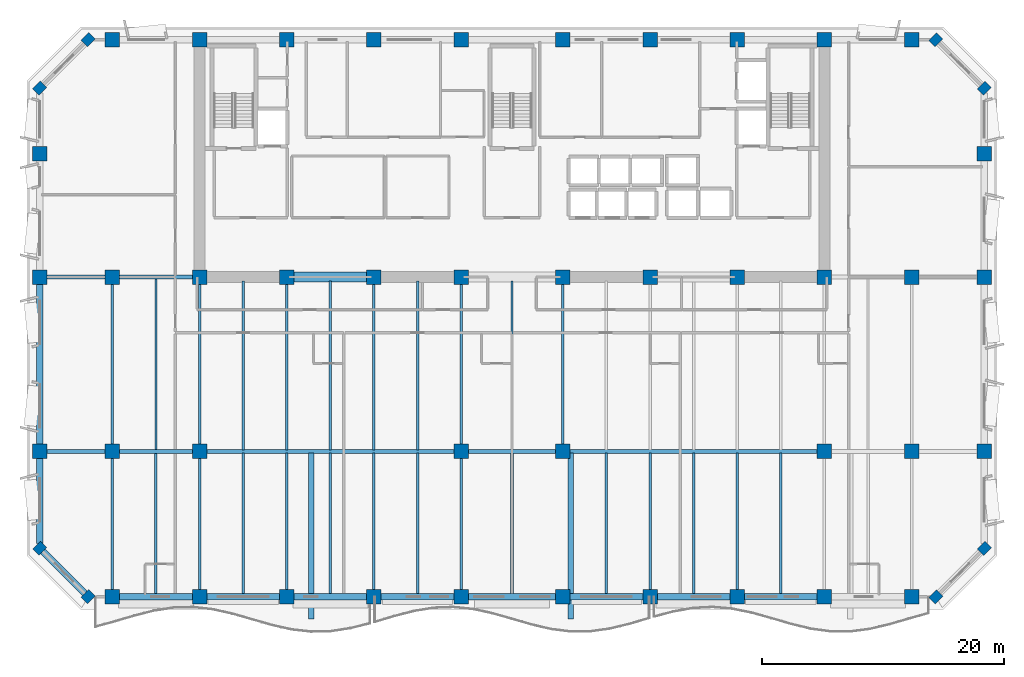
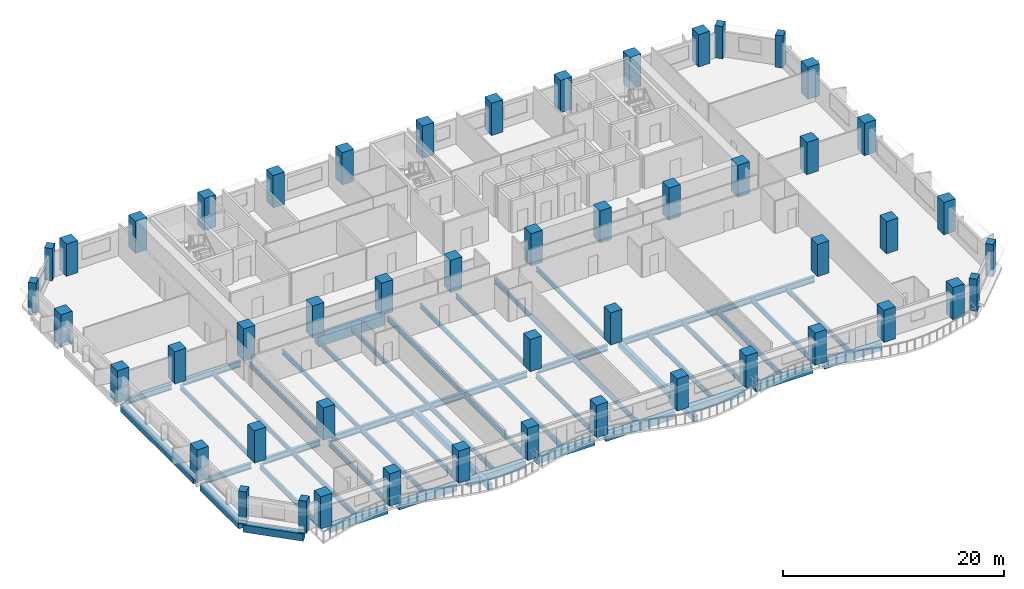
# One storey, part 1 of 14: 50 columns, 47 beams.
"""IFC4 building model written with IfcOpenShell, lengths in metres."""

from ifc_helpers import new_model, si_unit, direction, frame, origin, origin_2d, place, context, subcontext, project, spatial, rectangle, i_section, extrude, material, material_profile, profile_set, type_object, element, save


model = new_model("IFC4")

# Units and contexts
model_context = context("Model", 3, precision=1e-05, world=origin(), true_north=direction((0.0, 1.0)))
body_context = subcontext(model_context, "Body", "Model", "MODEL_VIEW")
ifc_project = project(units=[si_unit("LENGTHUNIT", "METRE"), si_unit("AREAUNIT", "SQUARE_METRE"), si_unit("VOLUMEUNIT", "CUBIC_METRE"), si_unit("PLANEANGLEUNIT", "RADIAN"), si_unit("MASSUNIT", "GRAM", prefix="KILO")], contexts=[model_context])

# Site, building, storey
site_placement = place(None, origin())
site = spatial("IfcSite", under=ifc_project, at=site_placement, CompositionType="ELEMENT")
building_placement = place(site_placement, origin())
building = spatial("IfcBuilding", under=site, at=building_placement, Name="Kaelvorn Grand Hotel", CompositionType="ELEMENT")
storey_placement = place(building_placement, frame((0.0, 0.0, 220.550048828125)))
storey = spatial("IfcBuildingStorey", under=building, at=storey_placement, Name="L54", CompositionType="ELEMENT", Elevation=220.550048828125)

# Columns
ifc_material_1 = material(Name="Concrete C60/75", Category="concrete")
ifc_material_profile_1 = material_profile(ifc_material_1, rectangle(XDim=0.89990234375, YDim=0.75, at=origin_2d()), Name="RC PILASTER 900x750")
ifc_profile_set_1 = profile_set([ifc_material_profile_1], Name="Concrete C60/75")
column_type_1 = type_object("IfcColumnType", Name="COL-PIL-900x750-C60", PredefinedType="PILASTER", material=ifc_profile_set_1)
for number, where, z_axis, x_axis, name in (
    (1, (7.0, 3.0, 0.0), (0.0, 0.0, 1.0), (0.707106781187, 0.707106781187, 0.0), "L54 Structural Column CH-01"),
    (2, (77.0, 3.0, 0.0), (0.0, 0.0, 1.0), (0.707106781187, 0.707106781187, 0.0), "L54 Structural Column CH-02"),
    (3, (81.0, 7.0, 0.0), (0.0, 0.0, 1.0), (0.707106781187, 0.707106781187, 0.0), "L54 Structural Column CH-03"),
    (4, (81.0, 45.0, 0.0), (0.0, 0.0, 1.0), (0.707106781187, 0.707106781187, 0.0), "L54 Structural Column CH-04"),
    (5, (77.0, 49.0, 0.0), (0.0, 0.0, 1.0), (0.707106781187, 0.707106781187, 0.0), "L54 Structural Column CH-05"),
    (6, (7.0, 49.0, 0.0), (0.0, 0.0, 1.0), (0.707106781187, 0.707106781187, 0.0), "L54 Structural Column CH-06"),
    (7, (3.0, 45.0, 0.0), (0.0, 0.0, 1.0), (0.707106781187, 0.707106781187, 0.0), "L54 Structural Column CH-07"),
    (8, (3.0, 7.0, 0.0), (0.0, 0.0, 1.0), (0.707106781187, 0.707106781187, 0.0), "L54 Structural Column CH-08"),
):
    element("IfcColumn", number, at=place(storey_placement, frame(where, z_axis=z_axis, x_axis=x_axis)), inside=storey, type_object=column_type_1, Name=name, PredefinedType="PILASTER", context=body_context, shape_type="SweptSolid", body=[
        extrude(rectangle(XDim=0.89990234375, YDim=0.75, at=origin_2d()), origin(), (0.0, 0.0, 1.0), 3.56005859375),
    ])
ifc_material_profile_2 = material_profile(ifc_material_1, rectangle(XDim=1.199951171875, YDim=1.199951171875, at=origin_2d()), Name="RC COL 1200x1200")
ifc_profile_set_2 = profile_set([ifc_material_profile_2], Name="Concrete C60/75")
column_type_2 = type_object("IfcColumnType", Name="COL-RC-1200-C60", PredefinedType="COLUMN", material=ifc_profile_set_2)
for number, where, z_axis, x_axis, name in (
    (9, (9.0, 3.0, 0.0), (0.0, 0.0, 1.0), (1.0, 0.0, 0.0), "L54 Structural Column S-01"),
    (10, (16.199951171875, 3.0, 0.0), (0.0, 0.0, 1.0), (1.0, 0.0, 0.0), "L54 Structural Column S-02"),
    (11, (23.39990234375, 3.0, 0.0), (0.0, 0.0, 1.0), (1.0, 0.0, 0.0), "L54 Structural Column S-03"),
    (12, (30.60009765625, 3.0, 0.0), (0.0, 0.0, 1.0), (1.0, 0.0, 0.0), "L54 Structural Column S-04"),
    (13, (37.800048828125, 3.0, 0.0), (0.0, 0.0, 1.0), (1.0, 0.0, 0.0), "L54 Structural Column S-05"),
    (14, (46.199951171875, 3.0, 0.0), (0.0, 0.0, 1.0), (1.0, 0.0, 0.0), "L54 Structural Column S-06"),
    (15, (53.39990234375, 3.0, 0.0), (0.0, 0.0, 1.0), (1.0, 0.0, 0.0), "L54 Structural Column S-07"),
    (16, (60.60009765625, 3.0, 0.0), (0.0, 0.0, 1.0), (1.0, 0.0, 0.0), "L54 Structural Column S-08"),
    (17, (67.800048828125, 3.0, 0.0), (0.0, 0.0, 1.0), (1.0, 0.0, 0.0), "L54 Structural Column S-09"),
    (18, (75.0, 3.0, 0.0), (0.0, 0.0, 1.0), (1.0, 0.0, 0.0), "L54 Structural Column S-10"),
    (19, (3.0, 15.0, 0.0), (0.0, 0.0, 1.0), (1.0, 0.0, 0.0), "L54 Structural Column W-01"),
    (20, (81.0, 15.0, 0.0), (0.0, 0.0, 1.0), (1.0, 0.0, 0.0), "L54 Structural Column E-01"),
    (21, (3.0, 29.39990234375, 0.0), (0.0, 0.0, 1.0), (1.0, 0.0, 0.0), "L54 Structural Column W-02"),
    (22, (81.0, 29.39990234375, 0.0), (0.0, 0.0, 1.0), (1.0, 0.0, 0.0), "L54 Structural Column E-02"),
    (23, (3.0, 39.60009765625, 0.0), (0.0, 0.0, 1.0), (1.0, 0.0, 0.0), "L54 Structural Column W-03"),
    (24, (81.0, 39.60009765625, 0.0), (0.0, 0.0, 1.0), (1.0, 0.0, 0.0), "L54 Structural Column E-03"),
    (25, (9.0, 15.0, 0.0), (0.0, 0.0, 1.0), (1.0, 0.0, 0.0), "L54 Structural Column M-01"),
    (26, (16.199951171875, 15.0, 0.0), (0.0, 0.0, 1.0), (1.0, 0.0, 0.0), "L54 Structural Column M-02"),
    (27, (37.800048828125, 15.0, 0.0), (0.0, 0.0, 1.0), (1.0, 0.0, 0.0), "L54 Structural Column M-03"),
    (28, (46.199951171875, 15.0, 0.0), (0.0, 0.0, 1.0), (1.0, 0.0, 0.0), "L54 Structural Column M-04"),
    (29, (67.800048828125, 15.0, 0.0), (0.0, 0.0, 1.0), (1.0, 0.0, 0.0), "L54 Structural Column M-05"),
    (30, (75.0, 15.0, 0.0), (0.0, 0.0, 1.0), (1.0, 0.0, 0.0), "L54 Structural Column M-06"),
    (31, (9.0, 29.39990234375, 0.0), (0.0, 0.0, 1.0), (1.0, 0.0, 0.0), "L54 Structural Column CR1-01"),
    (32, (9.0, 49.0, 0.0), (0.0, 0.0, 1.0), (1.0, 0.0, 0.0), "L54 Structural Column CR2-01"),
    (33, (16.199951171875, 29.39990234375, 0.0), (0.0, 0.0, 1.0), (1.0, 0.0, 0.0), "L54 Structural Column CR1-02"),
    (34, (16.199951171875, 49.0, 0.0), (0.0, 0.0, 1.0), (1.0, 0.0, 0.0), "L54 Structural Column CR2-02"),
    (35, (23.39990234375, 29.39990234375, 0.0), (0.0, 0.0, 1.0), (1.0, 0.0, 0.0), "L54 Structural Column CR1-03"),
    (36, (23.39990234375, 49.0, 0.0), (0.0, 0.0, 1.0), (1.0, 0.0, 0.0), "L54 Structural Column CR2-03"),
    (37, (30.60009765625, 29.39990234375, 0.0), (0.0, 0.0, 1.0), (1.0, 0.0, 0.0), "L54 Structural Column CR1-04"),
    (38, (30.60009765625, 49.0, 0.0), (0.0, 0.0, 1.0), (1.0, 0.0, 0.0), "L54 Structural Column CR2-04"),
    (39, (37.800048828125, 29.39990234375, 0.0), (0.0, 0.0, 1.0), (1.0, 0.0, 0.0), "L54 Structural Column CR1-05"),
    (40, (37.800048828125, 49.0, 0.0), (0.0, 0.0, 1.0), (1.0, 0.0, 0.0), "L54 Structural Column CR2-05"),
    (41, (46.199951171875, 29.39990234375, 0.0), (0.0, 0.0, 1.0), (1.0, 0.0, 0.0), "L54 Structural Column CR1-06"),
    (42, (46.199951171875, 49.0, 0.0), (0.0, 0.0, 1.0), (1.0, 0.0, 0.0), "L54 Structural Column CR2-06"),
    (43, (53.39990234375, 29.39990234375, 0.0), (0.0, 0.0, 1.0), (1.0, 0.0, 0.0), "L54 Structural Column CR1-07"),
    (44, (53.39990234375, 49.0, 0.0), (0.0, 0.0, 1.0), (1.0, 0.0, 0.0), "L54 Structural Column CR2-07"),
    (45, (60.60009765625, 29.39990234375, 0.0), (0.0, 0.0, 1.0), (1.0, 0.0, 0.0), "L54 Structural Column CR1-08"),
    (46, (60.60009765625, 49.0, 0.0), (0.0, 0.0, 1.0), (1.0, 0.0, 0.0), "L54 Structural Column CR2-08"),
    (47, (67.800048828125, 29.39990234375, 0.0), (0.0, 0.0, 1.0), (1.0, 0.0, 0.0), "L54 Structural Column CR1-09"),
    (48, (67.800048828125, 49.0, 0.0), (0.0, 0.0, 1.0), (1.0, 0.0, 0.0), "L54 Structural Column CR2-09"),
    (49, (75.0, 29.39990234375, 0.0), (0.0, 0.0, 1.0), (1.0, 0.0, 0.0), "L54 Structural Column CR1-10"),
    (50, (75.0, 49.0, 0.0), (0.0, 0.0, 1.0), (1.0, 0.0, 0.0), "L54 Structural Column CR2-10"),
):
    element("IfcColumn", number, at=place(storey_placement, frame(where, z_axis=z_axis, x_axis=x_axis)), inside=storey, type_object=column_type_2, Name=name, PredefinedType="COLUMN", context=body_context, shape_type="SweptSolid", body=[
        extrude(rectangle(XDim=1.199951171875, YDim=1.199951171875, at=origin_2d()), origin(), (0.0, 0.0, 1.0), 3.56005859375),
    ])

# Beams
ifc_material_2 = material(Name="Steel S355", Category="steel")
ifc_material_profile_3 = material_profile(ifc_material_2, i_section(OverallWidth=0.300048828125, OverallDepth=0.64990234375, WebThickness=0.01611328125, FlangeThickness=0.031005859375, FilletRadius=0.027099609375, at=origin_2d()), Name="HEB 650")
ifc_profile_set_3 = profile_set([ifc_material_profile_3], Name="Steel S355")
beam_type_1 = type_object("IfcBeamType", Name="BM-G-HEB650-S355", PredefinedType="BEAM", material=ifc_profile_set_3)
beam_1_placement = place(storey_placement, frame((3.5849609375, 15.0, -0.56494140625), z_axis=(1.0, 0.0, 0.0), x_axis=(0.0, 1.0, 0.0)))
element("IfcBeam", 51, at=beam_1_placement, inside=storey, type_object=beam_type_1, Name="L54 Primary Spine Steel Girder G-15 01", PredefinedType="BEAM", context=body_context, shape_type="SweptSolid", body=[
    extrude(i_section(OverallWidth=0.300048828125, OverallDepth=0.64990234375, WebThickness=0.01611328125, FlangeThickness=0.031005859375, FilletRadius=0.027099609375, at=origin_2d()), origin(), (0.0, 0.0, 1.0), 4.830078125),
])
beam_2_placement = place(storey_placement, frame((9.5849609375, 15.0, -0.56494140625), z_axis=(1.0, 0.0, 0.0), x_axis=(0.0, 1.0, 0.0)))
element("IfcBeam", 52, at=beam_2_placement, inside=storey, type_object=beam_type_1, Name="L54 Primary Spine Steel Girder G-15 02", PredefinedType="BEAM", context=body_context, shape_type="SweptSolid", body=[
    extrude(i_section(OverallWidth=0.300048828125, OverallDepth=0.64990234375, WebThickness=0.01611328125, FlangeThickness=0.031005859375, FilletRadius=0.027099609375, at=origin_2d()), origin(), (0.0, 0.0, 1.0), 6.030029296875),
])
beam_3_placement = place(storey_placement, frame((16.784912109375, 15.0, -0.56494140625), z_axis=(1.0, 0.0, 0.0), x_axis=(0.0, 1.0, 0.0)))
element("IfcBeam", 53, at=beam_3_placement, inside=storey, type_object=beam_type_1, Name="L54 Primary Spine Steel Girder G-15 03", PredefinedType="BEAM", context=body_context, shape_type="SweptSolid", body=[
    extrude(i_section(OverallWidth=0.300048828125, OverallDepth=0.64990234375, WebThickness=0.01611328125, FlangeThickness=0.031005859375, FilletRadius=0.027099609375, at=origin_2d()), origin(), (0.0, 0.0, 1.0), 20.43017578125),
])
beam_4_placement = place(storey_placement, frame((38.385009765625, 15.0, -0.56494140625), z_axis=(1.0, 0.0, 0.0), x_axis=(0.0, 1.0, 0.0)))
element("IfcBeam", 54, at=beam_4_placement, inside=storey, type_object=beam_type_1, Name="L54 Primary Spine Steel Girder G-15 04", PredefinedType="BEAM", context=body_context, shape_type="SweptSolid", body=[
    extrude(i_section(OverallWidth=0.300048828125, OverallDepth=0.64990234375, WebThickness=0.01611328125, FlangeThickness=0.031005859375, FilletRadius=0.027099609375, at=origin_2d()), origin(), (0.0, 0.0, 1.0), 7.22998046875),
])
beam_5_placement = place(storey_placement, frame((46.784912109375, 15.0, -0.56494140625), z_axis=(1.0, 0.0, 0.0), x_axis=(0.0, 1.0, 0.0)))
element("IfcBeam", 55, at=beam_5_placement, inside=storey, type_object=beam_type_1, Name="L54 Primary Spine Steel Girder G-15 05", PredefinedType="BEAM", context=body_context, shape_type="SweptSolid", body=[
    extrude(i_section(OverallWidth=0.300048828125, OverallDepth=0.64990234375, WebThickness=0.01611328125, FlangeThickness=0.031005859375, FilletRadius=0.027099609375, at=origin_2d()), origin(), (0.0, 0.0, 1.0), 20.43017578125),
])
beam_6_placement = place(storey_placement, frame((3.5849609375, 29.39990234375, -0.56494140625), z_axis=(1.0, 0.0, 0.0), x_axis=(0.0, 1.0, 0.0)))
element("IfcBeam", 56, at=beam_6_placement, inside=storey, type_object=beam_type_1, Name="L54 West Core Wing Steel Girder G-29W 01", PredefinedType="BEAM", context=body_context, shape_type="SweptSolid", body=[
    extrude(i_section(OverallWidth=0.300048828125, OverallDepth=0.64990234375, WebThickness=0.01611328125, FlangeThickness=0.031005859375, FilletRadius=0.027099609375, at=origin_2d()), origin(), (0.0, 0.0, 1.0), 4.830078125),
])
beam_7_placement = place(storey_placement, frame((9.5849609375, 29.39990234375, -0.56494140625), z_axis=(1.0, 0.0, 0.0), x_axis=(0.0, 1.0, 0.0)))
element("IfcBeam", 57, at=beam_7_placement, inside=storey, type_object=beam_type_1, Name="L54 West Core Wing Steel Girder G-29W 02", PredefinedType="BEAM", context=body_context, shape_type="SweptSolid", body=[
    extrude(i_section(OverallWidth=0.300048828125, OverallDepth=0.64990234375, WebThickness=0.01611328125, FlangeThickness=0.031005859375, FilletRadius=0.027099609375, at=origin_2d()), origin(), (0.0, 0.0, 1.0), 6.030029296875),
])
ifc_material_profile_4 = material_profile(ifc_material_2, i_section(OverallWidth=0.199951171875, OverallDepth=0.5, WebThickness=0.01025390625, FlangeThickness=0.01611328125, FilletRadius=0.02099609375, at=origin_2d()), Name="IPE 500")
ifc_profile_set_4 = profile_set([ifc_material_profile_4], Name="Steel S355")
beam_type_2 = type_object("IfcBeamType", Name="BM-J-IPE500-S355", PredefinedType="JOIST", material=ifc_profile_set_4)
beam_8_placement = place(storey_placement, frame((9.0, 15.5849609375, -0.489990234375), z_axis=(0.0, 1.0, 0.0), x_axis=(-1.0, 0.0, 0.0)))
element("IfcBeam", 58, at=beam_8_placement, inside=storey, type_object=beam_type_2, Name="L54 Composite Floor Joist JM-03", PredefinedType="JOIST", context=body_context, shape_type="SweptSolid", body=[
    extrude(i_section(OverallWidth=0.199951171875, OverallDepth=0.5, WebThickness=0.01025390625, FlangeThickness=0.01611328125, FilletRadius=0.02099609375, at=origin_2d()), origin(), (0.0, 0.0, 1.0), 13.22998046875),
])
beam_9_placement = place(storey_placement, frame((12.60009765625, 15.135009765625, -0.489990234375), z_axis=(0.0, 1.0, 0.0), x_axis=(-1.0, 0.0, 0.0)))
element("IfcBeam", 59, at=beam_9_placement, inside=storey, type_object=beam_type_2, Name="L54 Composite Floor Joist JM-04", PredefinedType="JOIST", context=body_context, shape_type="SweptSolid", body=[
    extrude(i_section(OverallWidth=0.199951171875, OverallDepth=0.5, WebThickness=0.01025390625, FlangeThickness=0.01611328125, FilletRadius=0.02099609375, at=origin_2d()), origin(), (0.0, 0.0, 1.0), 14.1298828125),
])
beam_10_placement = place(storey_placement, frame((16.199951171875, 15.5849609375, -0.489990234375), z_axis=(0.0, 1.0, 0.0), x_axis=(-1.0, 0.0, 0.0)))
element("IfcBeam", 60, at=beam_10_placement, inside=storey, type_object=beam_type_2, Name="L54 Composite Floor Joist JM-05", PredefinedType="JOIST", context=body_context, shape_type="SweptSolid", body=[
    extrude(i_section(OverallWidth=0.199951171875, OverallDepth=0.5, WebThickness=0.01025390625, FlangeThickness=0.01611328125, FilletRadius=0.02099609375, at=origin_2d()), origin(), (0.0, 0.0, 1.0), 13.22998046875),
])
beam_11_placement = place(storey_placement, frame((19.800048828125, 15.135009765625, -0.489990234375), z_axis=(0.0, 1.0, 0.0), x_axis=(-1.0, 0.0, 0.0)))
element("IfcBeam", 61, at=beam_11_placement, inside=storey, type_object=beam_type_2, Name="L54 Composite Floor Joist JM-06", PredefinedType="JOIST", context=body_context, shape_type="SweptSolid", body=[
    extrude(i_section(OverallWidth=0.199951171875, OverallDepth=0.5, WebThickness=0.01025390625, FlangeThickness=0.01611328125, FilletRadius=0.02099609375, at=origin_2d()), origin(), (0.0, 0.0, 1.0), 13.925048828125),
])
beam_12_placement = place(storey_placement, frame((23.39990234375, 15.135009765625, -0.489990234375), z_axis=(0.0, 1.0, 0.0), x_axis=(-1.0, 0.0, 0.0)))
element("IfcBeam", 62, at=beam_12_placement, inside=storey, type_object=beam_type_2, Name="L54 Composite Floor Joist JM-07", PredefinedType="JOIST", context=body_context, shape_type="SweptSolid", body=[
    extrude(i_section(OverallWidth=0.199951171875, OverallDepth=0.5, WebThickness=0.01025390625, FlangeThickness=0.01611328125, FilletRadius=0.02099609375, at=origin_2d()), origin(), (0.0, 0.0, 1.0), 13.679931640625),
])
beam_13_placement = place(storey_placement, frame((27.0, 15.135009765625, -0.489990234375), z_axis=(0.0, 1.0, 0.0), x_axis=(-1.0, 0.0, 0.0)))
element("IfcBeam", 63, at=beam_13_placement, inside=storey, type_object=beam_type_2, Name="L54 Composite Floor Joist JM-08", PredefinedType="JOIST", context=body_context, shape_type="SweptSolid", body=[
    extrude(i_section(OverallWidth=0.199951171875, OverallDepth=0.5, WebThickness=0.01025390625, FlangeThickness=0.01611328125, FilletRadius=0.02099609375, at=origin_2d()), origin(), (0.0, 0.0, 1.0), 13.925048828125),
])
beam_14_placement = place(storey_placement, frame((30.60009765625, 15.135009765625, -0.489990234375), z_axis=(0.0, 1.0, 0.0), x_axis=(-1.0, 0.0, 0.0)))
element("IfcBeam", 64, at=beam_14_placement, inside=storey, type_object=beam_type_2, Name="L54 Composite Floor Joist JM-09", PredefinedType="JOIST", context=body_context, shape_type="SweptSolid", body=[
    extrude(i_section(OverallWidth=0.199951171875, OverallDepth=0.5, WebThickness=0.01025390625, FlangeThickness=0.01611328125, FilletRadius=0.02099609375, at=origin_2d()), origin(), (0.0, 0.0, 1.0), 13.679931640625),
])
beam_15_placement = place(storey_placement, frame((34.199951171875, 15.135009765625, -0.489990234375), z_axis=(0.0, 1.0, 0.0), x_axis=(-1.0, 0.0, 0.0)))
element("IfcBeam", 65, at=beam_15_placement, inside=storey, type_object=beam_type_2, Name="L54 Composite Floor Joist JM-10", PredefinedType="JOIST", context=body_context, shape_type="SweptSolid", body=[
    extrude(i_section(OverallWidth=0.199951171875, OverallDepth=0.5, WebThickness=0.01025390625, FlangeThickness=0.01611328125, FilletRadius=0.02099609375, at=origin_2d()), origin(), (0.0, 0.0, 1.0), 13.925048828125),
])
beam_16_placement = place(storey_placement, frame((37.800048828125, 15.5849609375, -0.489990234375), z_axis=(0.0, 1.0, 0.0), x_axis=(-1.0, 0.0, 0.0)))
element("IfcBeam", 66, at=beam_16_placement, inside=storey, type_object=beam_type_2, Name="L54 Composite Floor Joist JM-11", PredefinedType="JOIST", context=body_context, shape_type="SweptSolid", body=[
    extrude(i_section(OverallWidth=0.199951171875, OverallDepth=0.5, WebThickness=0.01025390625, FlangeThickness=0.01611328125, FilletRadius=0.02099609375, at=origin_2d()), origin(), (0.0, 0.0, 1.0), 13.22998046875),
])
beam_17_placement = place(storey_placement, frame((42.0, 15.135009765625, -0.489990234375), z_axis=(0.0, 1.0, 0.0), x_axis=(-1.0, 0.0, 0.0)))
element("IfcBeam", 67, at=beam_17_placement, inside=storey, type_object=beam_type_2, Name="L54 Composite Floor Joist JM-12", PredefinedType="JOIST", context=body_context, shape_type="SweptSolid", body=[
    extrude(i_section(OverallWidth=0.199951171875, OverallDepth=0.5, WebThickness=0.01025390625, FlangeThickness=0.01611328125, FilletRadius=0.02099609375, at=origin_2d()), origin(), (0.0, 0.0, 1.0), 13.925048828125),
])
beam_18_placement = place(storey_placement, frame((46.199951171875, 15.5849609375, -0.489990234375), z_axis=(0.0, 1.0, 0.0), x_axis=(-1.0, 0.0, 0.0)))
element("IfcBeam", 68, at=beam_18_placement, inside=storey, type_object=beam_type_2, Name="L54 Composite Floor Joist JM-13", PredefinedType="JOIST", context=body_context, shape_type="SweptSolid", body=[
    extrude(i_section(OverallWidth=0.199951171875, OverallDepth=0.5, WebThickness=0.01025390625, FlangeThickness=0.01611328125, FilletRadius=0.02099609375, at=origin_2d()), origin(), (0.0, 0.0, 1.0), 13.22998046875),
])
ifc_material_profile_5 = material_profile(ifc_material_2, i_section(OverallWidth=0.2099609375, OverallDepth=0.550048828125, WebThickness=0.010986328125, FlangeThickness=0.01708984375, FilletRadius=0.02392578125, at=origin_2d()), Name="IPE 550")
ifc_profile_set_5 = profile_set([ifc_material_profile_5], Name="Steel S355")
beam_type_3 = type_object("IfcBeamType", Name="BM-J-IPE550-S355", PredefinedType="JOIST", material=ifc_profile_set_5)
beam_19_placement = place(storey_placement, frame((9.0, 3.5849609375, -0.51513671875), z_axis=(0.0, 1.0, 0.0), x_axis=(-1.0, 0.0, 0.0)))
element("IfcBeam", 69, at=beam_19_placement, inside=storey, type_object=beam_type_3, Name="L54 Composite Floor Joist JS-03", PredefinedType="JOIST", context=body_context, shape_type="SweptSolid", body=[
    extrude(i_section(OverallWidth=0.2099609375, OverallDepth=0.550048828125, WebThickness=0.010986328125, FlangeThickness=0.01708984375, FilletRadius=0.02392578125, at=origin_2d()), origin(), (0.0, 0.0, 1.0), 10.830078125),
])
beam_20_placement = place(storey_placement, frame((12.60009765625, 3.260009765625, -0.51513671875), z_axis=(0.0, 1.0, 0.0), x_axis=(-1.0, 0.0, 0.0)))
element("IfcBeam", 70, at=beam_20_placement, inside=storey, type_object=beam_type_3, Name="L54 Composite Floor Joist JS-04", PredefinedType="JOIST", context=body_context, shape_type="SweptSolid", body=[
    extrude(i_section(OverallWidth=0.2099609375, OverallDepth=0.550048828125, WebThickness=0.010986328125, FlangeThickness=0.01708984375, FilletRadius=0.02392578125, at=origin_2d()), origin(), (0.0, 0.0, 1.0), 11.60498046875),
])
beam_21_placement = place(storey_placement, frame((16.199951171875, 3.5849609375, -0.51513671875), z_axis=(0.0, 1.0, 0.0), x_axis=(-1.0, 0.0, 0.0)))
element("IfcBeam", 71, at=beam_21_placement, inside=storey, type_object=beam_type_3, Name="L54 Composite Floor Joist JS-05", PredefinedType="JOIST", context=body_context, shape_type="SweptSolid", body=[
    extrude(i_section(OverallWidth=0.2099609375, OverallDepth=0.550048828125, WebThickness=0.010986328125, FlangeThickness=0.01708984375, FilletRadius=0.02392578125, at=origin_2d()), origin(), (0.0, 0.0, 1.0), 10.830078125),
])
beam_22_placement = place(storey_placement, frame((19.800048828125, 3.260009765625, -0.51513671875), z_axis=(0.0, 1.0, 0.0), x_axis=(-1.0, 0.0, 0.0)))
element("IfcBeam", 72, at=beam_22_placement, inside=storey, type_object=beam_type_3, Name="L54 Composite Floor Joist JS-06", PredefinedType="JOIST", context=body_context, shape_type="SweptSolid", body=[
    extrude(i_section(OverallWidth=0.2099609375, OverallDepth=0.550048828125, WebThickness=0.010986328125, FlangeThickness=0.01708984375, FilletRadius=0.02392578125, at=origin_2d()), origin(), (0.0, 0.0, 1.0), 11.60498046875),
])
beam_23_placement = place(storey_placement, frame((23.39990234375, 3.5849609375, -0.51513671875), z_axis=(0.0, 1.0, 0.0), x_axis=(-1.0, 0.0, 0.0)))
element("IfcBeam", 73, at=beam_23_placement, inside=storey, type_object=beam_type_3, Name="L54 Composite Floor Joist JS-07", PredefinedType="JOIST", context=body_context, shape_type="SweptSolid", body=[
    extrude(i_section(OverallWidth=0.2099609375, OverallDepth=0.550048828125, WebThickness=0.010986328125, FlangeThickness=0.01708984375, FilletRadius=0.02392578125, at=origin_2d()), origin(), (0.0, 0.0, 1.0), 11.280029296875),
])
beam_24_placement = place(storey_placement, frame((27.0, 3.260009765625, -0.51513671875), z_axis=(0.0, 1.0, 0.0), x_axis=(-1.0, 0.0, 0.0)))
element("IfcBeam", 74, at=beam_24_placement, inside=storey, type_object=beam_type_3, Name="L54 Composite Floor Joist JS-08", PredefinedType="JOIST", context=body_context, shape_type="SweptSolid", body=[
    extrude(i_section(OverallWidth=0.2099609375, OverallDepth=0.550048828125, WebThickness=0.010986328125, FlangeThickness=0.01708984375, FilletRadius=0.02392578125, at=origin_2d()), origin(), (0.0, 0.0, 1.0), 11.60498046875),
])
beam_25_placement = place(storey_placement, frame((30.60009765625, 3.5849609375, -0.51513671875), z_axis=(0.0, 1.0, 0.0), x_axis=(-1.0, 0.0, 0.0)))
element("IfcBeam", 75, at=beam_25_placement, inside=storey, type_object=beam_type_3, Name="L54 Composite Floor Joist JS-09", PredefinedType="JOIST", context=body_context, shape_type="SweptSolid", body=[
    extrude(i_section(OverallWidth=0.2099609375, OverallDepth=0.550048828125, WebThickness=0.010986328125, FlangeThickness=0.01708984375, FilletRadius=0.02392578125, at=origin_2d()), origin(), (0.0, 0.0, 1.0), 11.280029296875),
])
beam_26_placement = place(storey_placement, frame((34.199951171875, 3.260009765625, -0.51513671875), z_axis=(0.0, 1.0, 0.0), x_axis=(-1.0, 0.0, 0.0)))
element("IfcBeam", 76, at=beam_26_placement, inside=storey, type_object=beam_type_3, Name="L54 Composite Floor Joist JS-10", PredefinedType="JOIST", context=body_context, shape_type="SweptSolid", body=[
    extrude(i_section(OverallWidth=0.2099609375, OverallDepth=0.550048828125, WebThickness=0.010986328125, FlangeThickness=0.01708984375, FilletRadius=0.02392578125, at=origin_2d()), origin(), (0.0, 0.0, 1.0), 11.60498046875),
])
beam_27_placement = place(storey_placement, frame((37.800048828125, 3.5849609375, -0.51513671875), z_axis=(0.0, 1.0, 0.0), x_axis=(-1.0, 0.0, 0.0)))
element("IfcBeam", 77, at=beam_27_placement, inside=storey, type_object=beam_type_3, Name="L54 Composite Floor Joist JS-11", PredefinedType="JOIST", context=body_context, shape_type="SweptSolid", body=[
    extrude(i_section(OverallWidth=0.2099609375, OverallDepth=0.550048828125, WebThickness=0.010986328125, FlangeThickness=0.01708984375, FilletRadius=0.02392578125, at=origin_2d()), origin(), (0.0, 0.0, 1.0), 10.830078125),
])
for number, where, z_axis, x_axis, name in (
    (78, (42.0, 3.260009765625, -0.51513671875), (0.0, 1.0, 0.0), (-1.0, 0.0, 0.0), "L54 Composite Floor Joist JS-12"),
    (79, (49.800048828125, 3.260009765625, -0.51513671875), (0.0, 1.0, 0.0), (-1.0, 0.0, 0.0), "L54 Composite Floor Joist JS-14"),
):
    element("IfcBeam", number, at=place(storey_placement, frame(where, z_axis=z_axis, x_axis=x_axis)), inside=storey, type_object=beam_type_3, Name=name, PredefinedType="JOIST", context=body_context, shape_type="SweptSolid", body=[
        extrude(i_section(OverallWidth=0.2099609375, OverallDepth=0.550048828125, WebThickness=0.010986328125, FlangeThickness=0.01708984375, FilletRadius=0.02392578125, at=origin_2d()), origin(), (0.0, 0.0, 1.0), 11.60498046875),
    ])
beam_28_placement = place(storey_placement, frame((53.39990234375, 3.5849609375, -0.51513671875), z_axis=(0.0, 1.0, 0.0), x_axis=(-1.0, 0.0, 0.0)))
element("IfcBeam", 80, at=beam_28_placement, inside=storey, type_object=beam_type_3, Name="L54 Composite Floor Joist JS-15", PredefinedType="JOIST", context=body_context, shape_type="SweptSolid", body=[
    extrude(i_section(OverallWidth=0.2099609375, OverallDepth=0.550048828125, WebThickness=0.010986328125, FlangeThickness=0.01708984375, FilletRadius=0.02392578125, at=origin_2d()), origin(), (0.0, 0.0, 1.0), 11.280029296875),
])
beam_29_placement = place(storey_placement, frame((57.0, 3.260009765625, -0.51513671875), z_axis=(0.0, 1.0, 0.0), x_axis=(-1.0, 0.0, 0.0)))
element("IfcBeam", 81, at=beam_29_placement, inside=storey, type_object=beam_type_3, Name="L54 Composite Floor Joist JS-16", PredefinedType="JOIST", context=body_context, shape_type="SweptSolid", body=[
    extrude(i_section(OverallWidth=0.2099609375, OverallDepth=0.550048828125, WebThickness=0.010986328125, FlangeThickness=0.01708984375, FilletRadius=0.02392578125, at=origin_2d()), origin(), (0.0, 0.0, 1.0), 11.60498046875),
])
beam_30_placement = place(storey_placement, frame((60.60009765625, 3.5849609375, -0.51513671875), z_axis=(0.0, 1.0, 0.0), x_axis=(-1.0, 0.0, 0.0)))
element("IfcBeam", 82, at=beam_30_placement, inside=storey, type_object=beam_type_3, Name="L54 Composite Floor Joist JS-17", PredefinedType="JOIST", context=body_context, shape_type="SweptSolid", body=[
    extrude(i_section(OverallWidth=0.2099609375, OverallDepth=0.550048828125, WebThickness=0.010986328125, FlangeThickness=0.01708984375, FilletRadius=0.02392578125, at=origin_2d()), origin(), (0.0, 0.0, 1.0), 11.280029296875),
])
beam_31_placement = place(storey_placement, frame((64.199951171875, 3.260009765625, -0.51513671875), z_axis=(0.0, 1.0, 0.0), x_axis=(-1.0, 0.0, 0.0)))
element("IfcBeam", 83, at=beam_31_placement, inside=storey, type_object=beam_type_3, Name="L54 Composite Floor Joist JS-18", PredefinedType="JOIST", context=body_context, shape_type="SweptSolid", body=[
    extrude(i_section(OverallWidth=0.2099609375, OverallDepth=0.550048828125, WebThickness=0.010986328125, FlangeThickness=0.01708984375, FilletRadius=0.02392578125, at=origin_2d()), origin(), (0.0, 0.0, 1.0), 11.60498046875),
])
ifc_material_profile_6 = material_profile(ifc_material_1, rectangle(XDim=0.800048828125, YDim=1.10009765625, at=origin_2d()), Name="RC LINTEL 800x1100")
ifc_profile_set_6 = profile_set([ifc_material_profile_6], Name="Concrete C60/75")
beam_type_4 = type_object("IfcBeamType", Name="BM-LIN-800x1100-C60", PredefinedType="LINTEL", material=ifc_profile_set_6)
beam_32_placement = place(storey_placement, frame((23.580078125, 29.39990234375, -0.7900390625), z_axis=(1.0, 0.0, 0.0), x_axis=(0.0, 1.0, 0.0)))
element("IfcBeam", 84, at=beam_32_placement, inside=storey, type_object=beam_type_4, Name="L54 Rear-Core Coupling Lintel Beam CB1-01", PredefinedType="LINTEL", context=body_context, shape_type="SweptSolid", body=[
    extrude(rectangle(XDim=0.800048828125, YDim=1.10009765625, at=origin_2d()), origin(), (0.0, 0.0, 1.0), 6.83984375),
])
ifc_material_3 = material(Name="Concrete C40/50", Category="concrete")
ifc_material_profile_7 = material_profile(ifc_material_3, rectangle(XDim=0.449951171875, YDim=0.64990234375, at=origin_2d()), Name="RC RIB 450x650")
ifc_profile_set_7 = profile_set([ifc_material_profile_7], Name="Concrete C40/50")
beam_type_5 = type_object("IfcBeamType", Name="BM-RIB-450x650-C40", PredefinedType="SPANDREL", material=ifc_profile_set_7)
for number, where, z_axis, x_axis, name in (
    (85, (25.409423828125, 1.14990234375, -0.545166015625), (0.0, 1.0, 0.0), (-1.0, 0.0, 0.0), "L54 Cantilevered Balcony Back-Span Rib RB1-1"),
    (86, (46.857177734375, 1.14990234375, -0.545166015625), (0.0, 1.0, 0.0), (-1.0, 0.0, 0.0), "L54 Cantilevered Balcony Back-Span Rib RB1-2"),
):
    element("IfcBeam", number, at=place(storey_placement, frame(where, z_axis=z_axis, x_axis=x_axis)), inside=storey, type_object=beam_type_5, Name=name, PredefinedType="SPANDREL", context=body_context, shape_type="SweptSolid", body=[
        extrude(rectangle(XDim=0.449951171875, YDim=0.64990234375, at=origin_2d()), origin(), (0.0, 0.0, 1.0), 13.715087890625),
    ])
ifc_material_4 = material(Name="Concrete C50/60", Category="concrete")
ifc_material_profile_8 = material_profile(ifc_material_4, rectangle(XDim=0.550048828125, YDim=0.800048828125, at=origin_2d()), Name="RC SPANDREL 550x800")
ifc_profile_set_8 = profile_set([ifc_material_profile_8], Name="Concrete C50/60")
beam_type_6 = type_object("IfcBeamType", Name="BM-SP-550x800-C50", PredefinedType="SPANDREL", material=ifc_profile_set_8)
for number, where, z_axis, x_axis, name in (
    (87, (9.5849609375, 3.0, -0.64013671875), (1.0, 0.0, 0.0), (0.0, 1.0, 0.0), "L54 South Perimeter Spandrel 02"),
    (88, (16.784912109375, 3.0, -0.64013671875), (1.0, 0.0, 0.0), (0.0, 1.0, 0.0), "L54 South Perimeter Spandrel 03"),
):
    element("IfcBeam", number, at=place(storey_placement, frame(where, z_axis=z_axis, x_axis=x_axis)), inside=storey, type_object=beam_type_6, Name=name, PredefinedType="SPANDREL", context=body_context, shape_type="SweptSolid", body=[
        extrude(rectangle(XDim=0.550048828125, YDim=0.800048828125, at=origin_2d()), origin(), (0.0, 0.0, 1.0), 6.030029296875),
    ])
beam_33_placement = place(storey_placement, frame((23.985107421875, 3.0, -0.64013671875), z_axis=(1.0, 0.0, 0.0), x_axis=(0.0, 1.0, 0.0)))
element("IfcBeam", 89, at=beam_33_placement, inside=storey, type_object=beam_type_6, Name="L54 South Perimeter Spandrel 04", PredefinedType="SPANDREL", context=body_context, shape_type="SweptSolid", body=[
    extrude(rectangle(XDim=0.550048828125, YDim=0.800048828125, at=origin_2d()), origin(), (0.0, 0.0, 1.0), 6.02978515625),
])
beam_34_placement = place(storey_placement, frame((31.18505859375, 3.0, -0.64013671875), z_axis=(1.0, 0.0, 0.0), x_axis=(0.0, 1.0, 0.0)))
element("IfcBeam", 90, at=beam_34_placement, inside=storey, type_object=beam_type_6, Name="L54 South Perimeter Spandrel 05", PredefinedType="SPANDREL", context=body_context, shape_type="SweptSolid", body=[
    extrude(rectangle(XDim=0.550048828125, YDim=0.800048828125, at=origin_2d()), origin(), (0.0, 0.0, 1.0), 6.030029296875),
])
beam_35_placement = place(storey_placement, frame((38.385009765625, 3.0, -0.64013671875), z_axis=(1.0, 0.0, 0.0), x_axis=(0.0, 1.0, 0.0)))
element("IfcBeam", 91, at=beam_35_placement, inside=storey, type_object=beam_type_6, Name="L54 South Perimeter Spandrel 06", PredefinedType="SPANDREL", context=body_context, shape_type="SweptSolid", body=[
    extrude(rectangle(XDim=0.550048828125, YDim=0.800048828125, at=origin_2d()), origin(), (0.0, 0.0, 1.0), 7.22998046875),
])
beam_36_placement = place(storey_placement, frame((46.784912109375, 3.0, -0.64013671875), z_axis=(1.0, 0.0, 0.0), x_axis=(0.0, 1.0, 0.0)))
element("IfcBeam", 92, at=beam_36_placement, inside=storey, type_object=beam_type_6, Name="L54 South Perimeter Spandrel 07", PredefinedType="SPANDREL", context=body_context, shape_type="SweptSolid", body=[
    extrude(rectangle(XDim=0.550048828125, YDim=0.800048828125, at=origin_2d()), origin(), (0.0, 0.0, 1.0), 6.030029296875),
])
beam_37_placement = place(storey_placement, frame((53.985107421875, 3.0, -0.64013671875), z_axis=(1.0, 0.0, 0.0), x_axis=(0.0, 1.0, 0.0)))
element("IfcBeam", 93, at=beam_37_placement, inside=storey, type_object=beam_type_6, Name="L54 South Perimeter Spandrel 08", PredefinedType="SPANDREL", context=body_context, shape_type="SweptSolid", body=[
    extrude(rectangle(XDim=0.550048828125, YDim=0.800048828125, at=origin_2d()), origin(), (0.0, 0.0, 1.0), 6.02978515625),
])
beam_38_placement = place(storey_placement, frame((61.18505859375, 3.0, -0.64013671875), z_axis=(1.0, 0.0, 0.0), x_axis=(0.0, 1.0, 0.0)))
element("IfcBeam", 94, at=beam_38_placement, inside=storey, type_object=beam_type_6, Name="L54 South Perimeter Spandrel 09", PredefinedType="SPANDREL", context=body_context, shape_type="SweptSolid", body=[
    extrude(rectangle(XDim=0.550048828125, YDim=0.800048828125, at=origin_2d()), origin(), (0.0, 0.0, 1.0), 6.030029296875),
])
beam_39_placement = place(storey_placement, frame((3.0, 7.405029296875, -0.64013671875), z_axis=(0.0, 1.0, 0.0), x_axis=(-1.0, 0.0, 0.0)))
element("IfcBeam", 95, at=beam_39_placement, inside=storey, type_object=beam_type_6, Name="L54 West Perimeter Spandrel 01", PredefinedType="SPANDREL", context=body_context, shape_type="SweptSolid", body=[
    extrude(rectangle(XDim=0.550048828125, YDim=0.800048828125, at=origin_2d()), origin(), (0.0, 0.0, 1.0), 7.010009765625),
])
beam_40_placement = place(storey_placement, frame((3.0, 15.5849609375, -0.64013671875), z_axis=(0.0, 1.0, 0.0), x_axis=(-1.0, 0.0, 0.0)))
element("IfcBeam", 96, at=beam_40_placement, inside=storey, type_object=beam_type_6, Name="L54 West Perimeter Spandrel 02", PredefinedType="SPANDREL", context=body_context, shape_type="SweptSolid", body=[
    extrude(rectangle(XDim=0.550048828125, YDim=0.800048828125, at=origin_2d()), origin(), (0.0, 0.0, 1.0), 13.22998046875),
])
beam_41_placement = place(storey_placement, frame((3.0, 7.0, -0.64013671875), z_axis=(0.707106781187, -0.707106781187, 0.0), x_axis=(0.707106781187, 0.707106781187, 0.0)))
element("IfcBeam", 97, at=beam_41_placement, inside=storey, type_object=beam_type_6, Name="L54 Chamfer Spandrel Beam 4", PredefinedType="SPANDREL", context=body_context, shape_type="SweptSolid", body=[
    extrude(rectangle(XDim=0.550048828125, YDim=0.800048828125, at=origin_2d()), origin(), (0.0, 0.0, 1.0), 5.65673828125),
])

save(model, "model.ifc")
